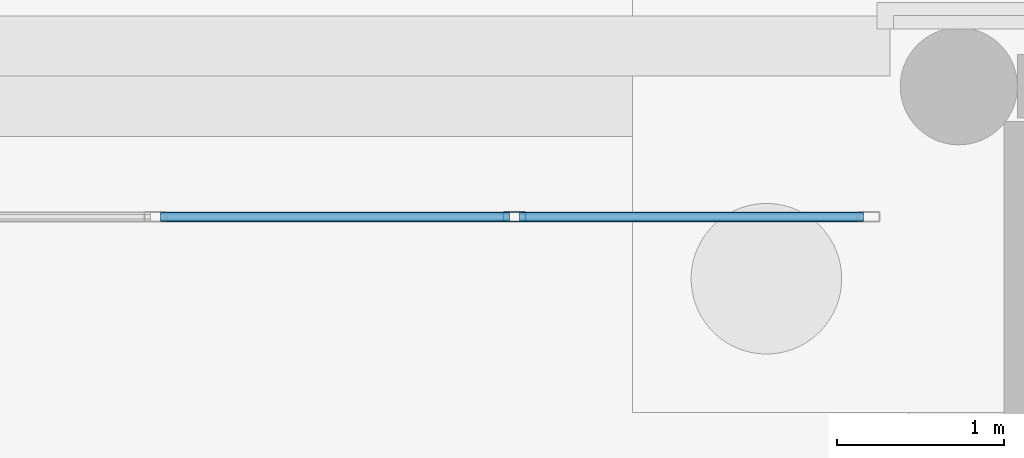
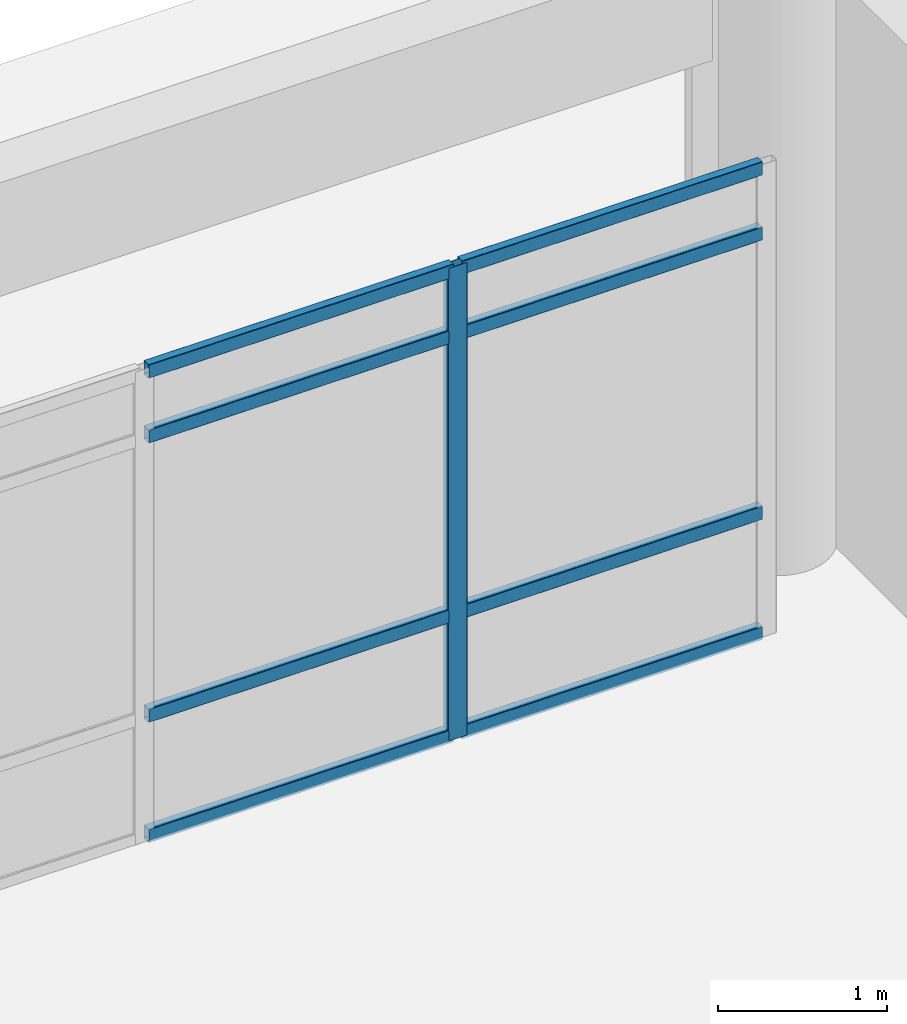
# One storey, part 138 of 196: 9 members, 1 element without a shape of its own.
"""IFC4 building model written with IfcOpenShell, lengths in metres."""

from ifc_helpers import new_model, si_unit, direction, frame, origin, origin_2d, place, context, subcontext, project, spatial, hollow_rectangle, extrude, material, layer, layer_set, material_profile, profile_set, type_object, element, aggregate, save


model = new_model("IFC4")

# Units and contexts
model_context = context("Model", 3, precision=1e-05, world=origin(), true_north=direction((0.0, 1.0)))
body_context = subcontext(model_context, "Body", "Model", "MODEL_VIEW")
ifc_project = project(units=[si_unit("LENGTHUNIT", "METRE"), si_unit("AREAUNIT", "SQUARE_METRE"), si_unit("VOLUMEUNIT", "CUBIC_METRE"), si_unit("PLANEANGLEUNIT", "RADIAN"), si_unit("MASSUNIT", "GRAM", prefix="KILO")], contexts=[model_context])

# Site, building, storey
site_placement = place(None, origin())
site = spatial("IfcSite", under=ifc_project, at=site_placement, CompositionType="ELEMENT")
building_placement = place(site_placement, origin())
building = spatial("IfcBuilding", under=site, at=building_placement, Name="Asteropetra Specialist Clinic", CompositionType="ELEMENT")
storey_placement = place(building_placement, origin())
storey = spatial("IfcBuildingStorey", under=building, at=storey_placement, Name="L00", CompositionType="ELEMENT", Elevation=0.0)

# Curtain wall, members
ifc_material_1 = material(Name="Aluminium and low-E glass", Category="aluminium")
ifc_layer = layer(ifc_material_1, 0.14990234375)
ifc_layer_set = layer_set([ifc_layer], Name="Aluminium and low-E glass")
curtain_wall_type = type_object("IfcCurtainWallType", Name="CW-SYS-11", PredefinedType="USERDEFINED", material=ifc_layer_set)
curtain_wall_placement = place(storey_placement, origin())
curtain_wall = element("IfcCurtainWall", 1, at=curtain_wall_placement, inside=storey, type_object=curtain_wall_type, Name="Curtain Wall CW-212", ObjectType="STICK GLAZED COLONNADE", PredefinedType="USERDEFINED")
ifc_material_2 = material(Name="Aluminium 6063-T6", Category="aluminium")
ifc_material_profile_1 = material_profile(ifc_material_2, hollow_rectangle(XDim=0.06005859375, YDim=0.135009765625, WallThickness=0.00341796875, InnerFilletRadius=0.00341796875, OuterFilletRadius=0.007080078125, at=origin_2d()), Name="MUL 135x60x3.5")
ifc_profile_set_1 = profile_set([ifc_material_profile_1], Name="Aluminium 6063-T6")
member_type_1 = type_object("IfcMemberType", Name="CWM-135x60", PredefinedType="MULLION", material=ifc_profile_set_1)
member_1_placement = place(storey_placement, frame((141.344970703125, 104.820068359375, 0.0), z_axis=(0.0, 0.0, 1.0), x_axis=(0.0, -1.0, 0.0)))
member_1 = element("IfcMember", 2, at=member_1_placement, type_object=member_type_1, Name="CW-212 mullion 2", PredefinedType="MULLION", context=body_context, shape_type="SweptSolid", body=[
    extrude(hollow_rectangle(XDim=0.06005859375, YDim=0.135009765625, WallThickness=0.00341796875, InnerFilletRadius=0.00341796875, OuterFilletRadius=0.007080078125, at=origin_2d()), origin(), (0.0, 0.0, 1.0), 3.419921875),
])
ifc_material_3 = material(Name="Aluminium 6063-T6", Category="aluminium")
ifc_material_profile_2 = material_profile(ifc_material_3, hollow_rectangle(XDim=0.06005859375, YDim=0.10009765625, WallThickness=0.00341796875, InnerFilletRadius=0.00341796875, OuterFilletRadius=0.007080078125, at=origin_2d()), Name="TRN 100x60x3.5")
ifc_profile_set_2 = profile_set([ifc_material_profile_2], Name="Aluminium 6063-T6")
member_type_2 = type_object("IfcMemberType", Name="CWT-100x60", PredefinedType="USERDEFINED", material=ifc_profile_set_2)
member_2_placement = place(storey_placement, frame((143.429931640625, 104.820068359375, 0.030029296875), z_axis=(-1.0, 0.0, 0.0), x_axis=(0.0, -1.0, 0.0)))
member_2 = element("IfcMember", 3, at=member_2_placement, type_object=member_type_2, Name="CW-212 transom 1.1", ObjectType="TRANSOM", PredefinedType="USERDEFINED", context=body_context, shape_type="SweptSolid", body=[
    extrude(hollow_rectangle(XDim=0.06005859375, YDim=0.10009765625, WallThickness=0.00341796875, InnerFilletRadius=0.00341796875, OuterFilletRadius=0.007080078125, at=origin_2d()), origin(), (0.0, 0.0, 1.0), 2.054931640625),
])
member_3_placement = place(storey_placement, frame((143.429931640625, 104.820068359375, 0.89990234375), z_axis=(-1.0, 0.0, 0.0), x_axis=(0.0, -1.0, 0.0)))
member_3 = element("IfcMember", 4, at=member_3_placement, type_object=member_type_2, Name="CW-212 transom 1.2", ObjectType="TRANSOM", PredefinedType="USERDEFINED", context=body_context, shape_type="SweptSolid", body=[
    extrude(hollow_rectangle(XDim=0.06005859375, YDim=0.10009765625, WallThickness=0.00341796875, InnerFilletRadius=0.00341796875, OuterFilletRadius=0.007080078125, at=origin_2d()), origin(), (0.0, 0.0, 1.0), 2.054931640625),
])
member_4_placement = place(storey_placement, frame((143.429931640625, 104.820068359375, 2.919921875), z_axis=(-1.0, 0.0, 0.0), x_axis=(0.0, -1.0, 0.0)))
member_4 = element("IfcMember", 5, at=member_4_placement, type_object=member_type_2, Name="CW-212 transom 1.3", ObjectType="TRANSOM", PredefinedType="USERDEFINED", context=body_context, shape_type="SweptSolid", body=[
    extrude(hollow_rectangle(XDim=0.06005859375, YDim=0.10009765625, WallThickness=0.00341796875, InnerFilletRadius=0.00341796875, OuterFilletRadius=0.007080078125, at=origin_2d()), origin(), (0.0, 0.0, 1.0), 2.054931640625),
])
member_5_placement = place(storey_placement, frame((143.429931640625, 104.820068359375, 3.389892578125), z_axis=(-1.0, 0.0, 0.0), x_axis=(0.0, -1.0, 0.0)))
member_5 = element("IfcMember", 6, at=member_5_placement, type_object=member_type_2, Name="CW-212 transom 1.4", ObjectType="TRANSOM", PredefinedType="USERDEFINED", context=body_context, shape_type="SweptSolid", body=[
    extrude(hollow_rectangle(XDim=0.06005859375, YDim=0.10009765625, WallThickness=0.00341796875, InnerFilletRadius=0.00341796875, OuterFilletRadius=0.007080078125, at=origin_2d()), origin(), (0.0, 0.0, 1.0), 2.054931640625),
])
member_6_placement = place(storey_placement, frame((141.31494140625, 104.820068359375, 0.030029296875), z_axis=(-1.0, 0.0, 0.0), x_axis=(0.0, -1.0, 0.0)))
member_6 = element("IfcMember", 7, at=member_6_placement, type_object=member_type_2, Name="CW-212 transom 2.1", ObjectType="TRANSOM", PredefinedType="USERDEFINED", context=body_context, shape_type="SweptSolid", body=[
    extrude(hollow_rectangle(XDim=0.06005859375, YDim=0.10009765625, WallThickness=0.00341796875, InnerFilletRadius=0.00341796875, OuterFilletRadius=0.007080078125, at=origin_2d()), origin(), (0.0, 0.0, 1.0), 2.0849609375),
])
member_7_placement = place(storey_placement, frame((141.31494140625, 104.820068359375, 0.89990234375), z_axis=(-1.0, 0.0, 0.0), x_axis=(0.0, -1.0, 0.0)))
member_7 = element("IfcMember", 8, at=member_7_placement, type_object=member_type_2, Name="CW-212 transom 2.2", ObjectType="TRANSOM", PredefinedType="USERDEFINED", context=body_context, shape_type="SweptSolid", body=[
    extrude(hollow_rectangle(XDim=0.06005859375, YDim=0.10009765625, WallThickness=0.00341796875, InnerFilletRadius=0.00341796875, OuterFilletRadius=0.007080078125, at=origin_2d()), origin(), (0.0, 0.0, 1.0), 2.0849609375),
])
member_8_placement = place(storey_placement, frame((141.31494140625, 104.820068359375, 2.919921875), z_axis=(-1.0, 0.0, 0.0), x_axis=(0.0, -1.0, 0.0)))
member_8 = element("IfcMember", 9, at=member_8_placement, type_object=member_type_2, Name="CW-212 transom 2.3", ObjectType="TRANSOM", PredefinedType="USERDEFINED", context=body_context, shape_type="SweptSolid", body=[
    extrude(hollow_rectangle(XDim=0.06005859375, YDim=0.10009765625, WallThickness=0.00341796875, InnerFilletRadius=0.00341796875, OuterFilletRadius=0.007080078125, at=origin_2d()), origin(), (0.0, 0.0, 1.0), 2.0849609375),
])
member_9_placement = place(storey_placement, frame((141.31494140625, 104.820068359375, 3.389892578125), z_axis=(-1.0, 0.0, 0.0), x_axis=(0.0, -1.0, 0.0)))
member_9 = element("IfcMember", 10, at=member_9_placement, type_object=member_type_2, Name="CW-212 transom 2.4", ObjectType="TRANSOM", PredefinedType="USERDEFINED", context=body_context, shape_type="SweptSolid", body=[
    extrude(hollow_rectangle(XDim=0.06005859375, YDim=0.10009765625, WallThickness=0.00341796875, InnerFilletRadius=0.00341796875, OuterFilletRadius=0.007080078125, at=origin_2d()), origin(), (0.0, 0.0, 1.0), 2.0849609375),
])
aggregate(curtain_wall, [member_1, member_2, member_3, member_4, member_5, member_6, member_7, member_8, member_9])

save(model, "model.ifc")
